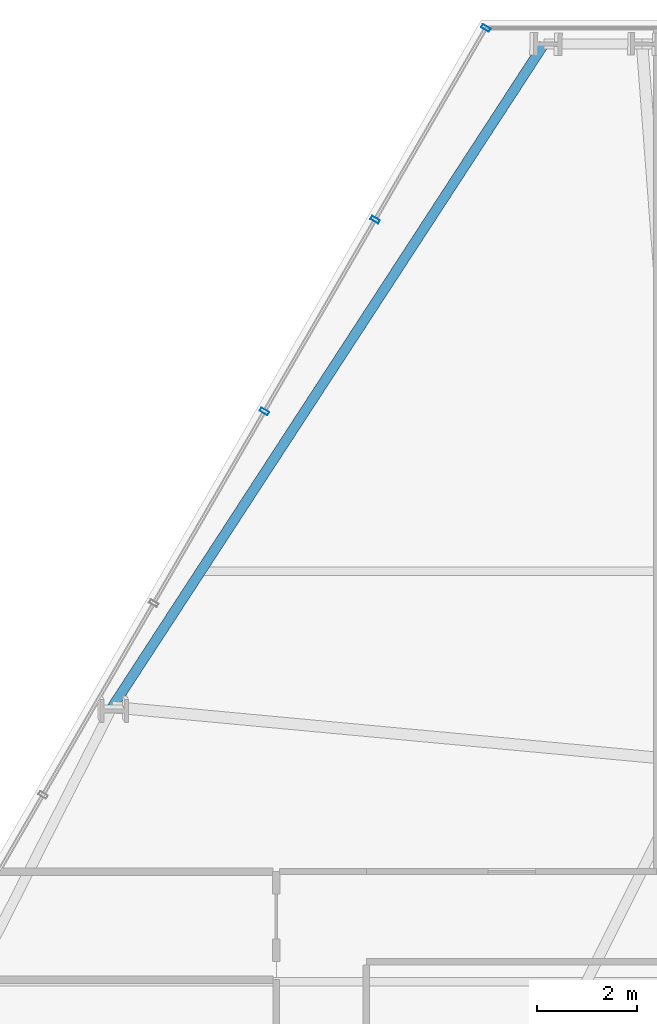
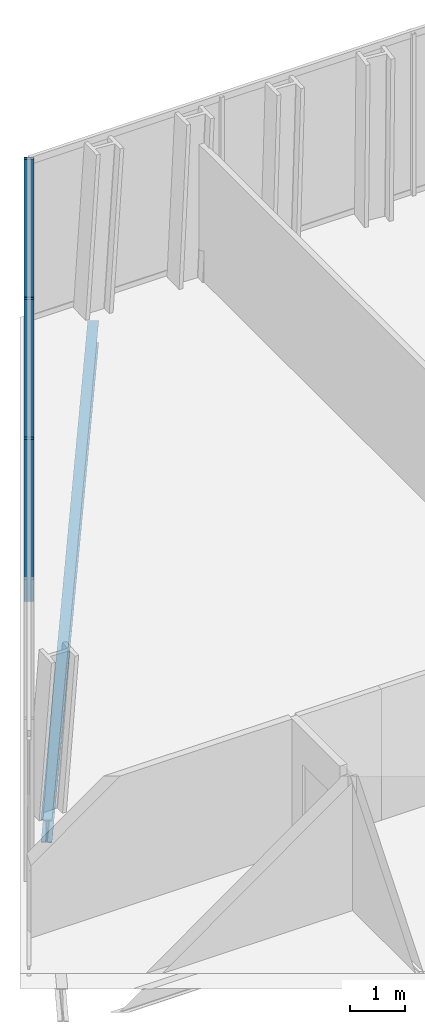
# One storey, part 20 of 32: 3 members, 1 beam, 1 element without a shape of its own.
"""IFC4 building model written with IfcOpenShell, lengths in metres."""

from ifc_helpers import new_model, si_unit, direction, frame, origin, origin_2d, place, context, subcontext, project, spatial, hollow_rectangle, i_section, extrude, material, layer, layer_set, material_profile, profile_set, type_object, element, aggregate, save


model = new_model("IFC4")

# Units and contexts
model_context = context("Model", 3, precision=1e-05, world=origin(), true_north=direction((0.0, 1.0)))
body_context = subcontext(model_context, "Body", "Model", "MODEL_VIEW")
ifc_project = project(units=[si_unit("LENGTHUNIT", "METRE"), si_unit("AREAUNIT", "SQUARE_METRE"), si_unit("VOLUMEUNIT", "CUBIC_METRE"), si_unit("PLANEANGLEUNIT", "RADIAN"), si_unit("MASSUNIT", "GRAM", prefix="KILO")], contexts=[model_context])

# Site, building, storey
site_placement = place(None, origin())
site = spatial("IfcSite", under=ifc_project, at=site_placement, CompositionType="ELEMENT")
building_placement = place(site_placement, origin())
building = spatial("IfcBuilding", under=site, at=building_placement, Name="Ndaravel Arena Tower", CompositionType="ELEMENT")
storey_placement = place(building_placement, frame((0.0, 0.0, 55.0)))
storey = spatial("IfcBuildingStorey", under=building, at=storey_placement, Name="L11", CompositionType="ELEMENT", Elevation=55.0)

# Beam
ifc_material_1 = material(Name="Steel S355", Category="steel")
ifc_material_profile_1 = material_profile(ifc_material_1, i_section(OverallWidth=0.199951171875, OverallDepth=0.5, WebThickness=0.01025390625, FlangeThickness=0.01611328125, FilletRadius=0.02099609375, at=origin_2d()), Name="IPE 500")
ifc_profile_set_1 = profile_set([ifc_material_profile_1], Name="Steel S355")
beam_type = type_object("IfcBeamType", Name="BM-SPAN-IPE500", PredefinedType="SPANDREL", material=ifc_profile_set_1)
beam_placement = place(storey_placement, frame((35.14990234375, 45.531494140625, -0.469970703125), z_axis=(-0.545711257889, -0.837973282995, 0.0), x_axis=(0.837973282995, -0.545711257889, 0.0)))
element("IfcBeam", 1, at=beam_placement, inside=storey, type_object=beam_type, Name="L11 Perimeter Spandrel Beam SP-18", PredefinedType="SPANDREL", context=body_context, shape_type="SweptSolid", body=[
    extrude(i_section(OverallWidth=0.199951171875, OverallDepth=0.5, WebThickness=0.01025390625, FlangeThickness=0.01611328125, FilletRadius=0.02099609375, at=origin_2d()), origin(), (0.0, 0.0, 1.0), 15.807373046875),
])

# Curtain wall, members
ifc_material_2 = material(Name="Aluminium", Category="aluminium")
ifc_layer = layer(ifc_material_2, 0.179931640625)
ifc_layer_set = layer_set([ifc_layer], Name="Aluminium")
curtain_wall_type = type_object("IfcCurtainWallType", Name="CW-SYS-03", PredefinedType="NOTDEFINED", material=ifc_layer_set)
curtain_wall_placement = place(storey_placement, origin())
curtain_wall = element("IfcCurtainWall", 2, at=curtain_wall_placement, inside=storey, type_object=curtain_wall_type, Name="L11 Faceted Crystal Curtain Wall CW-L11-E05", PredefinedType="NOTDEFINED")
ifc_material_3 = material(Name="Aluminium", Category="aluminium")
ifc_material_profile_2 = material_profile(ifc_material_3, hollow_rectangle(XDim=0.074951171875, YDim=0.179931640625, WallThickness=0.00390625, at=origin_2d()), Name="CW MULLION 75x180x4")
ifc_profile_set_2 = profile_set([ifc_material_profile_2], Name="Aluminium")
member_type = type_object("IfcMemberType", Name="MEM-CW-MUL180", PredefinedType="MULLION", material=ifc_profile_set_2)
member_1_placement = place(storey_placement, frame((33.98681640625, 45.851318359375, 0.0), z_axis=(0.0, 0.0, 1.0), x_axis=(-0.5, -0.866025403784, 0.0)))
member_1 = element("IfcMember", 3, at=member_1_placement, type_object=member_type, Name="CW-L11-E05 Mullion 00", PredefinedType="MULLION", context=body_context, shape_type="SweptSolid", body=[
    extrude(hollow_rectangle(XDim=0.074951171875, YDim=0.179931640625, WallThickness=0.00390625, at=origin_2d()), origin(), (0.0, 0.0, 1.0), 3.580078125),
])
member_2_placement = place(storey_placement, frame((31.775390625, 42.02099609375, 0.0), z_axis=(0.0, 0.0, 1.0), x_axis=(-0.5, -0.866025403784, 0.0)))
member_2 = element("IfcMember", 4, at=member_2_placement, type_object=member_type, Name="CW-L11-E05 Mullion 01", PredefinedType="MULLION", context=body_context, shape_type="SweptSolid", body=[
    extrude(hollow_rectangle(XDim=0.074951171875, YDim=0.179931640625, WallThickness=0.00390625, at=origin_2d()), origin(), (0.0, 0.0, 1.0), 3.580078125),
])
member_3_placement = place(storey_placement, frame((29.56396484375, 38.19091796875, 0.0), z_axis=(0.0, 0.0, 1.0), x_axis=(-0.5, -0.866025403784, 0.0)))
member_3 = element("IfcMember", 5, at=member_3_placement, type_object=member_type, Name="CW-L11-E05 Mullion 02", PredefinedType="MULLION", context=body_context, shape_type="SweptSolid", body=[
    extrude(hollow_rectangle(XDim=0.074951171875, YDim=0.179931640625, WallThickness=0.00390625, at=origin_2d()), origin(), (0.0, 0.0, 1.0), 3.580078125),
])
aggregate(curtain_wall, [member_1, member_2, member_3])

save(model, "model.ifc")
